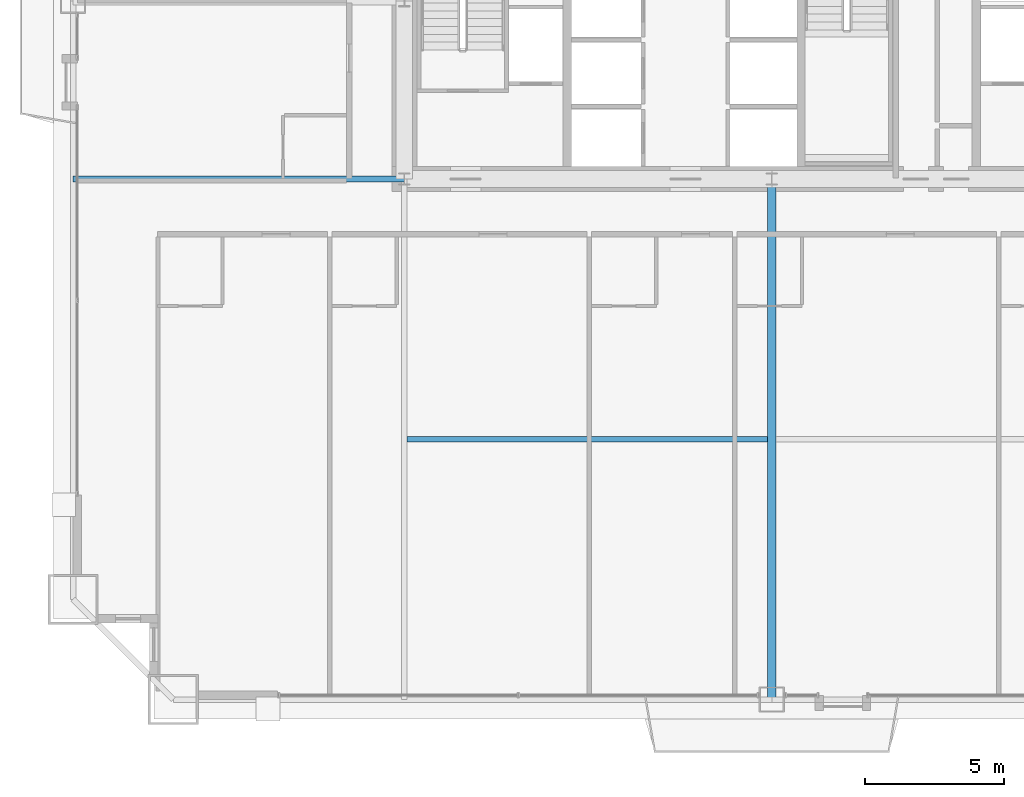
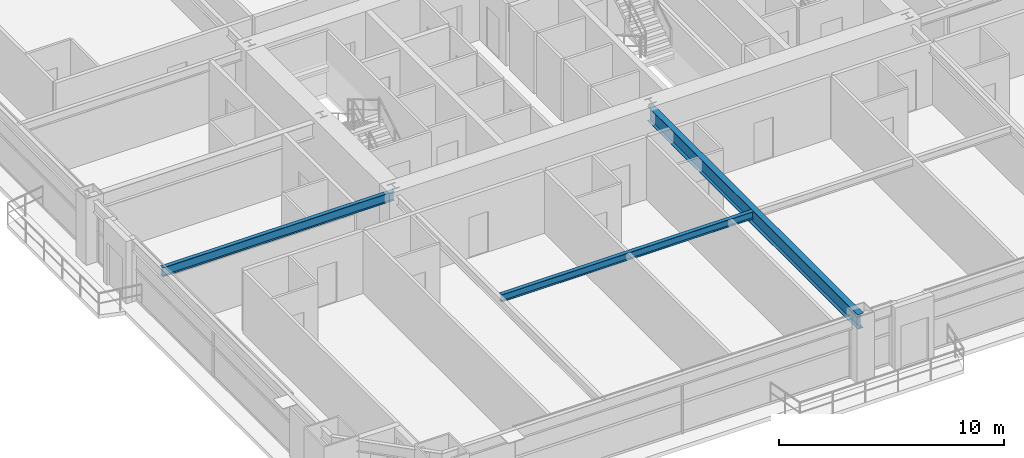
# One storey, part 12 of 46: 3 beams.
"""IFC4 building model written with IfcOpenShell, lengths in metres."""

from ifc_helpers import new_model, si_unit, direction, frame, origin, origin_2d, place, context, subcontext, project, spatial, i_section, extrude, source, transform, mapped, material, material_profile, profile_set, type_object, element, save


model = new_model("IFC4")

# Units and contexts
model_context = context("Model", 3, precision=1e-05, world=origin(), true_north=direction((0.0, 1.0)))
body_context = subcontext(model_context, "Body", "Model", "MODEL_VIEW")
ifc_project = project(units=[si_unit("LENGTHUNIT", "METRE"), si_unit("AREAUNIT", "SQUARE_METRE"), si_unit("VOLUMEUNIT", "CUBIC_METRE"), si_unit("PLANEANGLEUNIT", "RADIAN"), si_unit("MASSUNIT", "GRAM", prefix="KILO"), si_unit("THERMODYNAMICTEMPERATUREUNIT", "KELVIN"), si_unit("POWERUNIT", "WATT")], contexts=[model_context])

# Site, building, storey
site_placement = place(None, origin())
site = spatial("IfcSite", under=ifc_project, at=site_placement, CompositionType="ELEMENT")
building_placement = place(site_placement, origin())
building = spatial("IfcBuilding", under=site, at=building_placement, Name="Yuzanri Waterfront Tower", CompositionType="ELEMENT")
storey_placement = place(building_placement, frame((0.0, 0.0, 56.800048828125)))
storey = spatial("IfcBuildingStorey", under=building, at=storey_placement, Name="L14", CompositionType="ELEMENT", Elevation=56.800048828125)

# Beams
ifc_material_1 = material(Name="Steel Q355B", Category="steel")
ifc_material_profile_1 = material_profile(ifc_material_1, i_section(OverallWidth=0.300048828125, OverallDepth=0.800048828125, WebThickness=0.013916015625, FlangeThickness=0.02587890625, at=origin_2d()), Name="HN 800x300x14x26")
ifc_profile_set_1 = profile_set([ifc_material_profile_1], Name="Steel Q355B")
beam_type_1 = type_object("IfcBeamType", Name="Primary Floor Girder Q355B HN 800x300", PredefinedType="BEAM", material=ifc_profile_set_1)
shared_shape_1 = source(origin(), body_context, "Body", "SweptSolid", [
    extrude(i_section(OverallWidth=0.300048828125, OverallDepth=0.800048828125, WebThickness=0.013916015625, FlangeThickness=0.02587890625, at=origin_2d()), origin(), (0.0, 0.0, 1.0), 18.699951171875),
])
beam_1_placement = place(storey_placement, frame((37.0, 19.39990234375, 2.97998046875), z_axis=(0.0, -1.0, 0.0), x_axis=(1.0, 0.0, 0.0)))
element("IfcBeam", 1, at=beam_1_placement, inside=storey, type_object=beam_type_1, Name="L14 South Grid Girder", PredefinedType="BEAM", context=body_context, shape_type="MappedRepresentation", body=[
    mapped(shared_shape_1, transform((0.0, 0.0, 0.0), scale=1.0)),
])
ifc_material_2 = material(Name="Steel Q355B", Category="steel")
ifc_material_profile_2 = material_profile(ifc_material_2, i_section(OverallWidth=0.199951171875, OverallDepth=0.5, WebThickness=0.010009765625, FlangeThickness=0.01611328125, at=origin_2d()), Name="HN 500x200x10x16")
ifc_profile_set_2 = profile_set([ifc_material_profile_2], Name="Steel Q355B")
beam_type_2 = type_object("IfcBeamType", Name="Secondary Floor Beam Q355B HN 500x200", PredefinedType="BEAM", material=ifc_profile_set_2)
shared_shape_2 = source(origin(), body_context, "Body", "SweptSolid", [
    extrude(i_section(OverallWidth=0.199951171875, OverallDepth=0.5, WebThickness=0.010009765625, FlangeThickness=0.01611328125, at=origin_2d()), origin(), (0.0, 0.0, 1.0), 11.900146484375),
])
beam_2_placement = place(storey_placement, frame((23.800048828125, 19.39990234375, 3.1298828125), z_axis=(-1.0, 0.0, 0.0), x_axis=(0.0, -1.0, 0.0)))
element("IfcBeam", 2, at=beam_2_placement, inside=storey, type_object=beam_type_2, Name="L14 West-South Core Line Beam", PredefinedType="BEAM", context=body_context, shape_type="MappedRepresentation", body=[
    mapped(shared_shape_2, transform((0.0, 0.0, 0.0), scale=1.0)),
])
ifc_material_3 = material(Name="Steel Q355B", Category="steel")
ifc_material_profile_3 = material_profile(ifc_material_3, i_section(OverallWidth=0.199951171875, OverallDepth=0.39990234375, WebThickness=0.008056640625, FlangeThickness=0.012939453125, at=origin_2d()), Name="HN 400x200x8x13")
ifc_profile_set_3 = profile_set([ifc_material_profile_3], Name="Steel Q355B")
beam_type_3 = type_object("IfcBeamType", Name="Floor Joist Q355B HN 400x200", PredefinedType="JOIST", material=ifc_profile_set_3)
shared_shape_3 = source(origin(), body_context, "Body", "SweptSolid", [
    extrude(i_section(OverallWidth=0.199951171875, OverallDepth=0.39990234375, WebThickness=0.008056640625, FlangeThickness=0.012939453125, at=origin_2d()), origin(), (0.0, 0.0, 1.0), 12.9501953125),
])
beam_3_placement = place(storey_placement, frame((23.89990234375, 10.050048828125, 3.179931640625), z_axis=(1.0, 0.0, 0.0), x_axis=(0.0, 1.0, 0.0)))
element("IfcBeam", 3, at=beam_3_placement, inside=storey, type_object=beam_type_3, Name="L14 South Bay Joist W", PredefinedType="JOIST", context=body_context, shape_type="MappedRepresentation", body=[
    mapped(shared_shape_3, transform((0.0, 0.0, 0.0), scale=1.0)),
])

save(model, "model.ifc")
